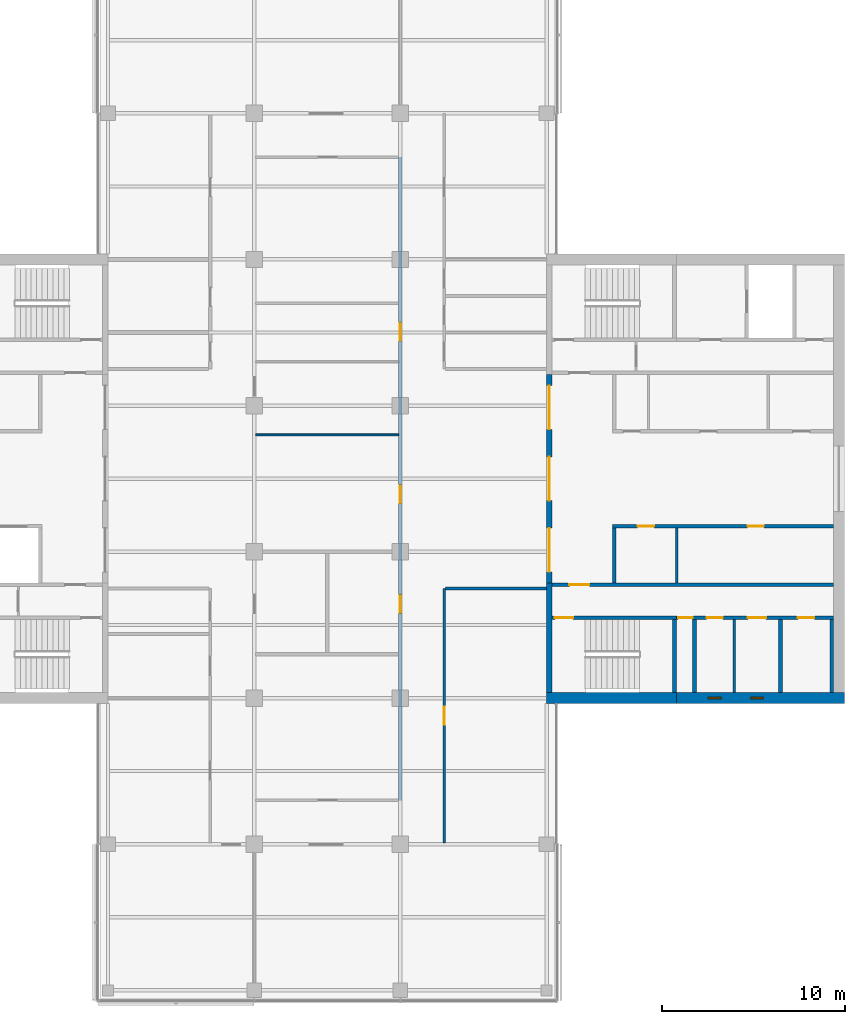
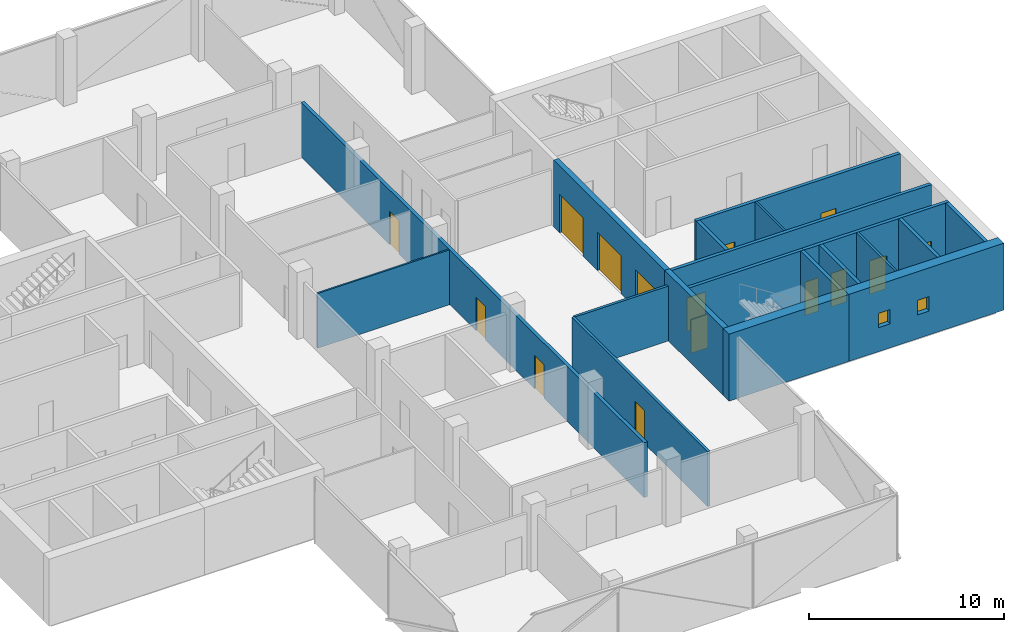
# One storey, part 10 of 15: 19 walls, 15 doors, 2 windows, 17 openings.
"""IFC4 building model written with IfcOpenShell, lengths in metres."""

import ifcopenshell
import ifcopenshell.guid

model = None  # the IFC model being written
_history = None  # IfcOwnerHistory: only IFC2X3 demands one
_inside = {}  # id of a spatial element -> (the spatial element, [elements in it])
_under = {}  # id of a project, library or spatial element -> (it, [spatial elements below it])
_declared = {}  # id of a project -> (the project, [libraries it declares])
_typed = {}  # id of a type object -> (the type object, [elements of that type])
_made_of = {}  # id of a material, layer set ... -> (it, [elements and type objects made of it])


def new_model(schema):
    """Start an empty IFC model of exactly this schema.

    Asked for "IFC4X3", IfcOpenShell would pick the latest addendum, in which some entities
    have other attributes; the version numbers below select the first issue.
    IFC2X3 requires an IfcOwnerHistory on every rooted entity: one is made here for all.
    """
    global model, _history
    if schema == "IFC4X3":
        model = ifcopenshell.file(schema_version=(4, 3, 0, 0))
    else:
        model = ifcopenshell.file(schema=schema)
    _inside.clear()
    _under.clear()
    _declared.clear()
    _typed.clear()
    _made_of.clear()
    _history = None
    if model.schema == "IFC2X3":
        org = make("IfcOrganization", Name="unknown")
        user = make(
            "IfcPersonAndOrganization",
            ThePerson=make("IfcPerson", FamilyName="unknown"),
            TheOrganization=org,
        )
        app = make(
            "IfcApplication",
            ApplicationDeveloper=org,
            Version="unknown",
            ApplicationFullName="unknown",
            ApplicationIdentifier="unknown",
        )
        _history = make(
            "IfcOwnerHistory",
            OwningUser=user,
            OwningApplication=app,
            ChangeAction="ADDED",
            CreationDate=0,
        )
    return model


def make(cls, **values):
    """One entity of the class cls with the attributes given. An attribute that is None is left unset."""
    return model.create_entity(
        cls, **{name: value for name, value in values.items() if value is not None}
    )


def rooted(cls, **values):
    """An entity with a GlobalId (a new one), such as an element, a storey or a relation."""
    return make(cls, GlobalId=ifcopenshell.guid.new(), OwnerHistory=_history, **values)


def si_unit(unit_type, name, prefix=None):
    """IfcSIUnit, for example si_unit("LENGTHUNIT", "METRE", prefix="MILLI")."""
    return make("IfcSIUnit", UnitType=unit_type, Prefix=prefix, Name=name)


def assignment(units):
    """IfcUnitAssignment: the units of a project."""
    return None if units is None else make("IfcUnitAssignment", Units=units)


def point(xyz):
    """IfcCartesianPoint."""
    return None if xyz is None else make("IfcCartesianPoint", Coordinates=xyz)


def direction(xyz):
    """IfcDirection."""
    return None if xyz is None else make("IfcDirection", DirectionRatios=xyz)


def frame(location, z_axis=None, x_axis=None):
    """IfcAxis2Placement3D, a coordinate frame: its origin and axes. An axis left out is left unset."""
    return make(
        "IfcAxis2Placement3D",
        Location=point(location),
        Axis=direction(z_axis),
        RefDirection=direction(x_axis),
    )


def frame_2d(location, x_axis=None):
    """IfcAxis2Placement2D, a coordinate frame in the plane: its origin and x axis."""
    return make(
        "IfcAxis2Placement2D", Location=point(location), RefDirection=direction(x_axis)
    )


def origin():
    """The frame at (0, 0, 0) with its axes left unset."""
    return frame((0.0, 0.0, 0.0))


def place(relative_to, where):
    """IfcLocalPlacement: puts the frame where relative to a parent placement (None: the world)."""
    return make(
        "IfcLocalPlacement", PlacementRelTo=relative_to, RelativePlacement=where
    )


def context(
    kind, dimensions, precision=None, world=None, true_north=None, identifier=None
):
    """IfcGeometricRepresentationContext, for example the 3D "Model" context."""
    return make(
        "IfcGeometricRepresentationContext",
        ContextIdentifier=identifier,
        ContextType=kind,
        CoordinateSpaceDimension=dimensions,
        Precision=precision,
        WorldCoordinateSystem=world,
        TrueNorth=true_north,
    )


def subcontext(parent, identifier, kind, view, scale=None):
    """IfcGeometricRepresentationSubContext, for example "Body" below "Model"."""
    return make(
        "IfcGeometricRepresentationSubContext",
        ContextIdentifier=identifier,
        ContextType=kind,
        ParentContext=parent,
        TargetScale=scale,
        TargetView=view,
    )


def project(units=None, contexts=None):
    """IfcProject with its units and contexts."""
    return rooted(
        "IfcProject",
        Name="project",
        RepresentationContexts=contexts,
        UnitsInContext=assignment(units),
    )


def spatial(cls, under=None, at=None, **own):
    """A site, building, storey or space (cls), placed at a placement, below another one or the project."""
    s = rooted(cls, ObjectPlacement=at, **own)
    if under is not None:
        _under.setdefault(under.id(), (under, []))[1].append(s)
    return s


def profile(cls, at=None, kind="AREA", **sizes):
    """A parametric profile (cls). Its sizes go by their IFC names, for example OverallWidth=200.0."""
    return make(cls, ProfileType=kind, Position=at, **sizes)


def rectangle(**sizes):
    """IfcRectangleProfileDef."""
    return profile("IfcRectangleProfileDef", **sizes)


def extrude(swept, where, along, depth):
    """IfcExtrudedAreaSolid: the profile swept, set in the frame where, extruded along a direction by depth."""
    return make(
        "IfcExtrudedAreaSolid",
        SweptArea=swept,
        Position=where,
        ExtrudedDirection=direction(along),
        Depth=depth,
    )


def shape(context_of_items, identifier, shape_type, items):
    """IfcShapeRepresentation: the items that make up one representation, for example the "Body"."""
    return make(
        "IfcShapeRepresentation",
        ContextOfItems=context_of_items,
        RepresentationIdentifier=identifier,
        RepresentationType=shape_type,
        Items=items,
    )


def material(Name=None, Category=None):
    """IfcMaterial."""
    return make("IfcMaterial", Name=Name, Category=Category)


def layer(
    of_material, thickness, ventilated=None, Name=None, Category=None, Priority=None
):
    """IfcMaterialLayer: one layer of a wall or slab, of a material (None: an air gap)."""
    return make(
        "IfcMaterialLayer",
        Material=of_material,
        LayerThickness=thickness,
        IsVentilated=ventilated,
        Name=Name,
        Category=Category,
        Priority=Priority,
    )


def layer_set(layers, Name=None):
    """IfcMaterialLayerSet."""
    return make("IfcMaterialLayerSet", MaterialLayers=layers, LayerSetName=Name)


def constituent(of_material, Name=None, Category=None, fraction=None):
    """IfcMaterialConstituent: one of the materials an element consists of."""
    return make(
        "IfcMaterialConstituent",
        Name=Name,
        Material=of_material,
        Fraction=fraction,
        Category=Category,
    )


def constituent_set(constituents=None, Name=None):
    """IfcMaterialConstituentSet."""
    return make(
        "IfcMaterialConstituentSet", Name=Name, MaterialConstituents=constituents
    )


def made_of(thing, what):
    """Note that an element or type object is made of a material, layer set ...; save() writes the relation."""
    if what is not None:
        _made_of.setdefault(what.id(), (what, []))[1].append(thing)
    return thing


def type_object(cls, material=None, **own):
    """A type object (cls), such as IfcWallType, which elements share."""
    return made_of(rooted(cls, **own), material)


def element(
    cls,
    number,
    at=None,
    inside=None,
    cuts=None,
    type_object=None,
    material=None,
    context=None,
    identifier="Body",
    shape_type=None,
    held_by="IfcProductDefinitionShape",
    body=None,
    shapes=None,
    **own,
):
    """One element of the class cls, such as IfcWall. Its Tag is "e" and its number.

    at: its placement. inside: the storey or other place that contains it. cuts: it is an
    opening in that element (IfcRelVoidsElement). A single representation is given by context,
    identifier, shape_type and body (its items); several are given by shapes. held_by: the class
    of the entity that holds the representations. save() writes the other relations.
    """
    e = rooted(cls, Tag="e%d" % number, ObjectPlacement=at, **own)
    if body is not None:
        shapes = [shape(context, identifier, shape_type, body)]
    if shapes is not None:
        e.Representation = make(held_by, Representations=shapes)
    if inside is not None:
        _inside.setdefault(inside.id(), (inside, []))[1].append(e)
    if cuts is not None:
        rooted(
            "IfcRelVoidsElement", RelatingBuildingElement=cuts, RelatedOpeningElement=e
        )
    if type_object is not None:
        _typed.setdefault(type_object.id(), (type_object, []))[1].append(e)
    return made_of(e, material)


def fill(opening, filler):
    """IfcRelFillsElement: the door or window that sits in an opening."""
    return rooted(
        "IfcRelFillsElement",
        RelatingOpeningElement=opening,
        RelatedBuildingElement=filler,
    )


def aggregate(whole, parts):
    """IfcRelAggregates: a whole, such as a stair, and the parts it consists of."""
    return rooted("IfcRelAggregates", RelatingObject=whole, RelatedObjects=parts)


def save(model, path):
    """Write the relations noted so far, then the file.

    IfcRelAggregates (storeys below a building ...), IfcRelContainedInSpatialStructure (elements
    in a storey), IfcRelDefinesByType, IfcRelAssociatesMaterial and IfcRelDeclares: one each for
    every whole, place, type object, material and project.
    """
    for whole, parts in _under.values():
        aggregate(whole, parts)
    for where, things in _inside.values():
        rooted(
            "IfcRelContainedInSpatialStructure",
            RelatedElements=things,
            RelatingStructure=where,
        )
    for kind, things in _typed.values():
        rooted("IfcRelDefinesByType", RelatedObjects=things, RelatingType=kind)
    for what, things in _made_of.values():
        rooted("IfcRelAssociatesMaterial", RelatedObjects=things, RelatingMaterial=what)
    for by, libraries in _declared.values():
        rooted("IfcRelDeclares", RelatingContext=by, RelatedDefinitions=libraries)
    model.write(path)


model = new_model("IFC4")

# Units and contexts
model_context = context("Model", 3, precision=1e-05, world=origin(), true_north=direction((0.0, 1.0)))
body_context = subcontext(model_context, "Body", "Model", "MODEL_VIEW")
ifc_project = project(units=[si_unit("LENGTHUNIT", "METRE"), si_unit("AREAUNIT", "SQUARE_METRE"), si_unit("VOLUMEUNIT", "CUBIC_METRE"), si_unit("PLANEANGLEUNIT", "RADIAN"), si_unit("MASSUNIT", "GRAM", prefix="KILO")], contexts=[model_context])

# Site, building, storey
site_placement = place(None, origin())
site = spatial("IfcSite", under=ifc_project, at=site_placement, CompositionType="ELEMENT")
building_placement = place(site_placement, origin())
building = spatial("IfcBuilding", under=site, at=building_placement, Name="Crosswind Convention Tower", CompositionType="ELEMENT")
storey_placement = place(building_placement, frame((0.0, 0.0, 229.300048828125)))
storey = spatial("IfcBuildingStorey", under=building, at=storey_placement, Name="L49", CompositionType="ELEMENT", Elevation=229.300048828125)

# Wall
ifc_material_1 = material(Name="Concrete blockwork", Category="masonry")
ifc_layer_1 = layer(ifc_material_1, 0.199951171875)
ifc_layer_set_1 = layer_set([ifc_layer_1], Name="Blockwork partition wall 200")
wall_type_1 = type_object("IfcWallType", Name="Blockwork partition wall 200", PredefinedType="PARTITIONING", material=ifc_layer_set_1)
wall_1_placement = place(storey_placement, frame((145.10009765625, 88.300048828125, 0.0), z_axis=(0.0, 0.0, 1.0), x_axis=(0.0, 1.0, 0.0)))
element("IfcWall", 1, at=wall_1_placement, inside=storey, type_object=wall_type_1, Name="Wall MRSE E L49", PredefinedType="PARTITIONING", context=body_context, shape_type="SweptSolid", body=[
    extrude(rectangle(XDim=4.0, YDim=0.199951171875, at=frame_2d((2.0, 0.0))), origin(), (0.0, 0.0, 1.0), 4.199951171875),
])

# Wall, openings, doors
ifc_layer_2 = layer(ifc_material_1, 0.199951171875)
ifc_layer_set_2 = layer_set([ifc_layer_2], Name="COMPARTMENT WALL 200 BLOCKWORK")
wall_type_2 = type_object("IfcWallType", Name="COMPARTMENT WALL 200 BLOCKWORK", PredefinedType="SOLIDWALL", material=ifc_layer_set_2)
wall_2_placement = place(storey_placement, frame((129.0, 82.39990234375, 0.0), z_axis=(0.0, 0.0, 1.0), x_axis=(0.0, 1.0, 0.0)))
wall_2 = element("IfcWall", 2, at=wall_2_placement, inside=storey, type_object=wall_type_2, Name="Compartment wall WT42", PredefinedType="SOLIDWALL", context=body_context, shape_type="SweptSolid", body=[
    extrude(rectangle(XDim=35.2001953125, YDim=0.199951171875, at=frame_2d((17.60009765625, 0.0))), origin(), (0.0, 0.0, 1.0), 3.439697265625),
])
opening_1_placement = place(wall_2_placement, frame((10.25, 0.0, 0.0)))
opening_1 = element("IfcOpeningElement", 3, at=opening_1_placement, cuts=wall_2, Name="Opening L49-66", PredefinedType="OPENING", context=body_context, shape_type="SweptSolid", body=[
    extrude(rectangle(XDim=1.0, YDim=2.10009765625, at=frame_2d((0.5, 1.050048828125))), frame((0.0, 0.10986328125, 0.0), z_axis=(0.0, -1.0, 0.0), x_axis=(1.0, 0.0, 0.0)), (0.0, 0.0, 1.0), 0.219970703125),
])
opening_2_placement = place(wall_2_placement, frame((16.25, 0.0, 0.0)))
opening_2 = element("IfcOpeningElement", 4, at=opening_2_placement, cuts=wall_2, Name="Opening L49-67", PredefinedType="OPENING", context=body_context, shape_type="SweptSolid", body=[
    extrude(rectangle(XDim=1.0, YDim=2.10009765625, at=frame_2d((0.5, 1.050048828125))), frame((0.0, 0.10986328125, 0.0), z_axis=(0.0, -1.0, 0.0), x_axis=(1.0, 0.0, 0.0)), (0.0, 0.0, 1.0), 0.219970703125),
])
opening_3_placement = place(wall_2_placement, frame((25.14990234375, 0.0, 0.0)))
opening_3 = element("IfcOpeningElement", 5, at=opening_3_placement, cuts=wall_2, Name="Opening L49-69", PredefinedType="OPENING", context=body_context, shape_type="SweptSolid", body=[
    extrude(rectangle(XDim=1.0, YDim=2.10009765625, at=frame_2d((0.5, 1.050048828125))), frame((0.0, 0.10986328125, 0.0), z_axis=(0.0, -1.0, 0.0), x_axis=(1.0, 0.0, 0.0)), (0.0, 0.0, 1.0), 0.219970703125),
])
ifc_material_2 = material(Name="Steel fire door", Category="steel")
door_type_1 = type_object("IfcDoorType", Name="PLANT ROOM DOOR 1000X2100 FD60", OperationType="NOTDEFINED", PredefinedType="DOOR", material=ifc_material_2)
door_1_placement = place(opening_1_placement, origin())
door_1 = element("IfcDoor", 6, at=door_1_placement, inside=storey, type_object=door_type_1, Name="Door L49-66", ObjectType="D43", OperationType="SINGLE_SWING_RIGHT", OverallHeight=2.10009765625, OverallWidth=1.0, PredefinedType="DOOR", context=body_context, shape_type="SweptSolid", body=[
    extrude(rectangle(XDim=1.0, YDim=2.10009765625, at=frame_2d((0.5, 1.050048828125))), frame((0.0, 0.02490234375, 0.0), z_axis=(0.0, -1.0, 0.0), x_axis=(1.0, 0.0, 0.0)), (0.0, 0.0, 1.0), 0.050048828125),
])
fill(opening_1, door_1)
ifc_material_3 = material(Name="Timber fire door", Category="wood")
door_type_2 = type_object("IfcDoorType", Name="TENANCY ENTRANCE DOOR 1000X2100 FD30S", OperationType="NOTDEFINED", PredefinedType="DOOR", material=ifc_material_3)
door_2_placement = place(opening_2_placement, origin())
door_2 = element("IfcDoor", 7, at=door_2_placement, inside=storey, type_object=door_type_2, Name="Door L49-67", ObjectType="D41", OperationType="SINGLE_SWING_LEFT", OverallHeight=2.10009765625, OverallWidth=1.0, PredefinedType="DOOR", context=body_context, shape_type="SweptSolid", body=[
    extrude(rectangle(XDim=1.0, YDim=2.10009765625, at=frame_2d((0.5, 1.050048828125))), frame((0.0, 0.02490234375, 0.0), z_axis=(0.0, -1.0, 0.0), x_axis=(1.0, 0.0, 0.0)), (0.0, 0.0, 1.0), 0.050048828125),
])
fill(opening_2, door_2)
door_3_placement = place(opening_3_placement, origin())
door_3 = element("IfcDoor", 8, at=door_3_placement, inside=storey, type_object=door_type_2, Name="Door L49-69", ObjectType="D41", OperationType="SINGLE_SWING_RIGHT", OverallHeight=2.10009765625, OverallWidth=1.0, PredefinedType="DOOR", context=body_context, shape_type="SweptSolid", body=[
    extrude(rectangle(XDim=1.0, YDim=2.10009765625, at=frame_2d((0.5, 1.050048828125))), frame((0.0, 0.02490234375, 0.0), z_axis=(0.0, -1.0, 0.0), x_axis=(1.0, 0.0, 0.0)), (0.0, 0.0, 1.0), 0.050048828125),
])
fill(opening_3, door_3)

ifc_material_4 = material(Name="Concrete C50/60", Category="concrete")
ifc_layer_3 = layer(ifc_material_4, 0.300048828125)
ifc_layer_set_3 = layer_set([ifc_layer_3], Name="Concrete C50/60")
wall_type_3 = type_object("IfcWallType", Name="Concrete inner core wall 300", PredefinedType="SHEAR", material=ifc_layer_set_3)
wall_3_placement = place(storey_placement, frame((137.14990234375, 94.300048828125, 0.0), z_axis=(0.0, 0.0, 1.0), x_axis=(0.0, 1.0, 0.0)))
wall_3 = element("IfcWall", 9, at=wall_3_placement, inside=storey, type_object=wall_type_3, Name="Wall SCR E L49", PredefinedType="SHEAR", context=body_context, shape_type="SweptSolid", body=[
    extrude(rectangle(XDim=11.39990234375, YDim=0.300048828125, at=frame_2d((5.699951171875, 0.0))), origin(), (0.0, 0.0, 1.0), 4.199951171875),
])
opening_4_placement = place(wall_3_placement, frame((0.60009765625, 0.0, 0.0)))
opening_4 = element("IfcOpeningElement", 10, at=opening_4_placement, cuts=wall_3, Name="Opening D100", PredefinedType="OPENING", context=body_context, shape_type="SweptSolid", body=[
    extrude(rectangle(XDim=2.39990234375, YDim=2.39990234375, at=frame_2d((1.199951171875, 1.199951171875))), frame((0.0, 0.159912109375, 0.0), z_axis=(0.0, -1.0, 0.0), x_axis=(1.0, 0.0, 0.0)), (0.0, 0.0, 1.0), 0.320068359375),
])
opening_5_placement = place(wall_3_placement, frame((4.5, 0.0, 0.0)))
opening_5 = element("IfcOpeningElement", 11, at=opening_5_placement, cuts=wall_3, Name="Opening D100", PredefinedType="OPENING", context=body_context, shape_type="SweptSolid", body=[
    extrude(rectangle(XDim=2.39990234375, YDim=2.39990234375, at=frame_2d((1.199951171875, 1.199951171875))), frame((0.0, 0.159912109375, 0.0), z_axis=(0.0, -1.0, 0.0), x_axis=(1.0, 0.0, 0.0)), (0.0, 0.0, 1.0), 0.320068359375),
])
opening_6_placement = place(wall_3_placement, frame((8.39990234375, 0.0, 0.0)))
opening_6 = element("IfcOpeningElement", 12, at=opening_6_placement, cuts=wall_3, Name="Opening D100", PredefinedType="OPENING", context=body_context, shape_type="SweptSolid", body=[
    extrude(rectangle(XDim=2.39990234375, YDim=2.39990234375, at=frame_2d((1.199951171875, 1.199951171875))), frame((0.0, 0.159912109375, 0.0), z_axis=(0.0, -1.0, 0.0), x_axis=(1.0, 0.0, 0.0)), (0.0, 0.0, 1.0), 0.320068359375),
])
ifc_material_5 = material(Name="Steel fire door with glazed vision panels", Category="steel")
door_type_3 = type_object("IfcDoorType", Name="Fire-rated double door 2400x2400", OperationType="DOUBLE_DOOR_SINGLE_SWING", PredefinedType="DOOR", material=ifc_material_5)
door_4_placement = place(opening_4_placement, origin())
door_4 = element("IfcDoor", 13, at=door_4_placement, inside=storey, type_object=door_type_3, Name="Lobby door 1 L49", ObjectType="D100", OperationType="DOUBLE_DOOR_SINGLE_SWING", OverallHeight=2.39990234375, OverallWidth=2.39990234375, PredefinedType="DOOR", context=body_context, shape_type="SweptSolid", body=[
    extrude(rectangle(XDim=2.39990234375, YDim=2.39990234375, at=frame_2d((1.199951171875, 1.199951171875))), frame((0.0, 0.02490234375, 0.0), z_axis=(0.0, -1.0, 0.0), x_axis=(1.0, 0.0, 0.0)), (0.0, 0.0, 1.0), 0.050048828125),
])
fill(opening_4, door_4)
door_5_placement = place(opening_5_placement, origin())
door_5 = element("IfcDoor", 14, at=door_5_placement, inside=storey, type_object=door_type_3, Name="Lobby door 2 L49", ObjectType="D100", OperationType="DOUBLE_DOOR_SINGLE_SWING", OverallHeight=2.39990234375, OverallWidth=2.39990234375, PredefinedType="DOOR", context=body_context, shape_type="SweptSolid", body=[
    extrude(rectangle(XDim=2.39990234375, YDim=2.39990234375, at=frame_2d((1.199951171875, 1.199951171875))), frame((0.0, 0.02490234375, 0.0), z_axis=(0.0, -1.0, 0.0), x_axis=(1.0, 0.0, 0.0)), (0.0, 0.0, 1.0), 0.050048828125),
])
fill(opening_5, door_5)
door_6_placement = place(opening_6_placement, origin())
door_6 = element("IfcDoor", 15, at=door_6_placement, inside=storey, type_object=door_type_3, Name="Lobby door 3 L49", ObjectType="D100", OperationType="DOUBLE_DOOR_SINGLE_SWING", OverallHeight=2.39990234375, OverallWidth=2.39990234375, PredefinedType="DOOR", context=body_context, shape_type="SweptSolid", body=[
    extrude(rectangle(XDim=2.39990234375, YDim=2.39990234375, at=frame_2d((1.199951171875, 1.199951171875))), frame((0.0, 0.02490234375, 0.0), z_axis=(0.0, -1.0, 0.0), x_axis=(1.0, 0.0, 0.0)), (0.0, 0.0, 1.0), 0.050048828125),
])
fill(opening_6, door_6)

# Walls
wall_4_placement = place(storey_placement, frame((137.14990234375, 88.300048828125, 0.0), z_axis=(0.0, 0.0, 1.0), x_axis=(0.0, 1.0, 0.0)))
element("IfcWall", 16, at=wall_4_placement, inside=storey, type_object=wall_type_3, Name="Wall EM E L49", PredefinedType="SHEAR", context=body_context, shape_type="SweptSolid", body=[
    extrude(rectangle(XDim=6.0, YDim=0.300048828125, at=frame_2d((3.0, 0.0))), origin(), (0.0, 0.0, 1.0), 4.199951171875),
])
ifc_layer_4 = layer(ifc_material_4, 0.199951171875)
ifc_layer_set_4 = layer_set([ifc_layer_4], Name="Concrete C50/60")
wall_type_4 = type_object("IfcWallType", Name="Concrete shaft and stair wall 200", PredefinedType="SHEAR", material=ifc_layer_set_4)
wall_5_placement = place(storey_placement, frame((140.699951171875, 94.300048828125, 0.0), z_axis=(0.0, 0.0, 1.0), x_axis=(0.0, 1.0, 0.0)))
element("IfcWall", 17, at=wall_5_placement, inside=storey, type_object=wall_type_4, Name="Wall RMEND E L49", PredefinedType="SHEAR", context=body_context, shape_type="SweptSolid", body=[
    extrude(rectangle(XDim=3.0, YDim=0.199951171875, at=frame_2d((1.5, 0.0))), origin(), (0.0, 0.0, 1.0), 4.199951171875),
])

# Wall, openings, doors
wall_6_placement = place(storey_placement, frame((140.60009765625, 97.39990234375, 0.0), z_axis=(0.0, 0.0, 1.0), x_axis=(1.0, 0.0, 0.0)))
wall_6 = element("IfcWall", 18, at=wall_6_placement, inside=storey, type_object=wall_type_4, Name="Wall RMFRONT E L49", PredefinedType="SHEAR", context=body_context, shape_type="SweptSolid", body=[
    extrude(rectangle(XDim=12.099853515625, YDim=0.199951171875, at=frame_2d((6.0498046875, 0.0))), origin(), (0.0, 0.0, 1.0), 4.199951171875),
])
opening_7_placement = place(wall_6_placement, frame((1.384765625, 0.0, 0.0)))
opening_7 = element("IfcOpeningElement", 19, at=opening_7_placement, cuts=wall_6, Name="Opening D106", PredefinedType="OPENING", context=body_context, shape_type="SweptSolid", body=[
    extrude(rectangle(XDim=0.89990234375, YDim=2.10009765625, at=frame_2d((0.449951171875, 1.050048828125))), frame((0.0, 0.10986328125, 0.0), z_axis=(0.0, -1.0, 0.0), x_axis=(1.0, 0.0, 0.0)), (0.0, 0.0, 1.0), 0.219970703125),
])
opening_8_placement = place(wall_6_placement, frame((7.397216796875, 0.0, 0.0)))
opening_8 = element("IfcOpeningElement", 20, at=opening_8_placement, cuts=wall_6, Name="Opening D106", PredefinedType="OPENING", context=body_context, shape_type="SweptSolid", body=[
    extrude(rectangle(XDim=0.89990234375, YDim=2.10009765625, at=frame_2d((0.449951171875, 1.050048828125))), frame((0.0, 0.10986328125, 0.0), z_axis=(0.0, -1.0, 0.0), x_axis=(1.0, 0.0, 0.0)), (0.0, 0.0, 1.0), 0.219970703125),
])
ifc_material_6 = material(Name="Timber door", Category="wood")
door_type_4 = type_object("IfcDoorType", Name="Single leaf door 900x2100", OperationType="NOTDEFINED", PredefinedType="DOOR", material=ifc_material_6)
door_7_placement = place(opening_7_placement, frame((0.89990234375, 0.0, 0.0), z_axis=(0.0, 0.0, 1.0), x_axis=(-1.0, 0.0, 0.0)))
door_7 = element("IfcDoor", 21, at=door_7_placement, inside=storey, type_object=door_type_4, Name="Door to copy and print room L49", ObjectType="D106", OperationType="SINGLE_SWING_LEFT", OverallHeight=2.10009765625, OverallWidth=0.89990234375, PredefinedType="DOOR", context=body_context, shape_type="SweptSolid", body=[
    extrude(rectangle(XDim=0.89990234375, YDim=2.10009765625, at=frame_2d((0.449951171875, 1.050048828125))), frame((0.0, 0.02490234375, 0.0), z_axis=(0.0, -1.0, 0.0), x_axis=(1.0, 0.0, 0.0)), (0.0, 0.0, 1.0), 0.050048828125),
])
fill(opening_7, door_7)
door_8_placement = place(opening_8_placement, frame((0.89990234375, 0.0, 0.0), z_axis=(0.0, 0.0, 1.0), x_axis=(-1.0, 0.0, 0.0)))
door_8 = element("IfcDoor", 22, at=door_8_placement, inside=storey, type_object=door_type_4, Name="Door to meeting room L49", ObjectType="D106", OperationType="SINGLE_SWING_LEFT", OverallHeight=2.10009765625, OverallWidth=0.89990234375, PredefinedType="DOOR", context=body_context, shape_type="SweptSolid", body=[
    extrude(rectangle(XDim=0.89990234375, YDim=2.10009765625, at=frame_2d((0.449951171875, 1.050048828125))), frame((0.0, 0.02490234375, 0.0), z_axis=(0.0, -1.0, 0.0), x_axis=(1.0, 0.0, 0.0)), (0.0, 0.0, 1.0), 0.050048828125),
])
fill(opening_8, door_8)

# Wall, opening, door
wall_7_placement = place(storey_placement, frame((137.300048828125, 94.199951171875, 0.0), z_axis=(0.0, 0.0, 1.0), x_axis=(1.0, 0.0, 0.0)))
wall_7 = element("IfcWall", 23, at=wall_7_placement, inside=storey, type_object=wall_type_4, Name="Wall HM E L49", PredefinedType="SHEAR", context=body_context, shape_type="SweptSolid", body=[
    extrude(rectangle(XDim=15.39990234375, YDim=0.199951171875, at=frame_2d((7.699951171875, 0.0))), origin(), (0.0, 0.0, 1.0), 4.199951171875),
])
opening_9_placement = place(wall_7_placement, frame((0.949951171875, 0.0, 0.0)))
opening_9 = element("IfcOpeningElement", 24, at=opening_9_placement, cuts=wall_7, Name="Opening D104", PredefinedType="OPENING", context=body_context, shape_type="SweptSolid", body=[
    extrude(rectangle(XDim=1.10009765625, YDim=2.10009765625, at=frame_2d((0.550048828125, 1.050048828125))), frame((0.0, 0.10986328125, 0.0), z_axis=(0.0, -1.0, 0.0), x_axis=(1.0, 0.0, 0.0)), (0.0, 0.0, 1.0), 0.219970703125),
])
door_type_5 = type_object("IfcDoorType", Name="Fire-rated single door 1100x2100", OperationType="NOTDEFINED", PredefinedType="DOOR", material=ifc_material_2)
door_9_placement = place(opening_9_placement, origin())
door_9 = element("IfcDoor", 25, at=door_9_placement, inside=storey, type_object=door_type_5, Name="Corridor door L49", ObjectType="D104", OperationType="SINGLE_SWING_LEFT", OverallHeight=2.10009765625, OverallWidth=1.10009765625, PredefinedType="DOOR", context=body_context, shape_type="SweptSolid", body=[
    extrude(rectangle(XDim=1.10009765625, YDim=2.10009765625, at=frame_2d((0.550048828125, 1.050048828125))), frame((0.0, 0.02490234375, 0.0), z_axis=(0.0, -1.0, 0.0), x_axis=(1.0, 0.0, 0.0)), (0.0, 0.0, 1.0), 0.050048828125),
])
fill(opening_9, door_9)

# Walls
for number, where, z_axis, x_axis, name in (
    (26, (144.0, 88.300048828125, 0.0), (0.0, 0.0, 1.0), (0.0, 1.0, 0.0), "Wall MSE E L49"),
    (27, (149.800048828125, 88.300048828125, 0.0), (0.0, 0.0, 1.0), (0.0, 1.0, 0.0), "Wall MFSW E L49"),
    (28, (152.60009765625, 88.300048828125, 0.0), (0.0, 0.0, 1.0), (0.0, 1.0, 0.0), "Wall MFSE E L49"),
):
    element("IfcWall", number, at=place(storey_placement, frame(where, z_axis=z_axis, x_axis=x_axis)), inside=storey, type_object=wall_type_4, Name=name, PredefinedType="SHEAR", context=body_context, shape_type="SweptSolid", body=[
        extrude(rectangle(XDim=4.0, YDim=0.199951171875, at=frame_2d((2.0, 0.0))), origin(), (0.0, 0.0, 1.0), 4.199951171875),
    ])

# Wall, opening, door
wall_8_placement = place(storey_placement, frame((137.300048828125, 92.39990234375, 0.0), z_axis=(0.0, 0.0, 1.0), x_axis=(1.0, 0.0, 0.0)))
wall_8 = element("IfcWall", 29, at=wall_8_placement, inside=storey, type_object=wall_type_4, Name="Wall MCW E L49", PredefinedType="SHEAR", context=body_context, shape_type="SweptSolid", body=[
    extrude(rectangle(XDim=6.800048828125, YDim=0.199951171875, at=frame_2d((3.39990234375, 0.0))), origin(), (0.0, 0.0, 1.0), 4.199951171875),
])
opening_10_placement = place(wall_8_placement, frame((0.14990234375, 0.0, 0.0)))
opening_10 = element("IfcOpeningElement", 30, at=opening_10_placement, cuts=wall_8, Name="Opening D103", PredefinedType="OPENING", context=body_context, shape_type="SweptSolid", body=[
    extrude(rectangle(XDim=1.0, YDim=2.10009765625, at=frame_2d((0.5, 1.050048828125))), frame((0.0, 0.10986328125, 0.0), z_axis=(0.0, -1.0, 0.0), x_axis=(1.0, 0.0, 0.0)), (0.0, 0.0, 1.0), 0.219970703125),
])
door_type_6 = type_object("IfcDoorType", Name="Fire-rated single door 1000x2100", OperationType="NOTDEFINED", PredefinedType="DOOR", material=ifc_material_2)
door_10_placement = place(opening_10_placement, frame((1.0, 0.0, 0.0), z_axis=(0.0, 0.0, 1.0), x_axis=(-1.0, 0.0, 0.0)))
door_10 = element("IfcDoor", 31, at=door_10_placement, inside=storey, type_object=door_type_6, Name="Stair ST2 door L49", ObjectType="D103", OperationType="SINGLE_SWING_RIGHT", OverallHeight=2.10009765625, OverallWidth=1.0, PredefinedType="DOOR", context=body_context, shape_type="SweptSolid", body=[
    extrude(rectangle(XDim=1.0, YDim=2.10009765625, at=frame_2d((0.5, 1.050048828125))), frame((0.0, 0.02490234375, 0.0), z_axis=(0.0, -1.0, 0.0), x_axis=(1.0, 0.0, 0.0)), (0.0, 0.0, 1.0), 0.050048828125),
])
fill(opening_10, door_10)

# Wall, openings, doors
wall_9_placement = place(storey_placement, frame((144.10009765625, 92.39990234375, 0.0), z_axis=(0.0, 0.0, 1.0), x_axis=(1.0, 0.0, 0.0)))
wall_9 = element("IfcWall", 32, at=wall_9_placement, inside=storey, type_object=wall_type_4, Name="Wall MCX E L49", PredefinedType="SHEAR", context=body_context, shape_type="SweptSolid", body=[
    extrude(rectangle(XDim=8.599853515625, YDim=0.199951171875, at=frame_2d((4.2998046875, 0.0))), origin(), (0.0, 0.0, 1.0), 4.199951171875),
])
opening_11_placement = place(wall_9_placement, frame((0.10009765625, 0.0, 0.0)))
opening_11 = element("IfcOpeningElement", 33, at=opening_11_placement, cuts=wall_9, Name="Opening D105", PredefinedType="OPENING", context=body_context, shape_type="SweptSolid", body=[
    extrude(rectangle(XDim=0.800048828125, YDim=2.10009765625, at=frame_2d((0.39990234375, 1.050048828125))), frame((0.0, 0.10986328125, 0.0), z_axis=(0.0, -1.0, 0.0), x_axis=(1.0, 0.0, 0.0)), (0.0, 0.0, 1.0), 0.219970703125),
])
opening_12_placement = place(wall_9_placement, frame((1.65380859375, 0.0, 0.0)))
opening_12 = element("IfcOpeningElement", 34, at=opening_12_placement, cuts=wall_9, Name="Opening D106", PredefinedType="OPENING", context=body_context, shape_type="SweptSolid", body=[
    extrude(rectangle(XDim=0.89990234375, YDim=2.10009765625, at=frame_2d((0.449951171875, 1.050048828125))), frame((0.0, 0.10986328125, 0.0), z_axis=(0.0, -1.0, 0.0), x_axis=(1.0, 0.0, 0.0)), (0.0, 0.0, 1.0), 0.219970703125),
])
opening_13_placement = place(wall_9_placement, frame((3.916259765625, 0.0, 0.0)))
opening_13 = element("IfcOpeningElement", 35, at=opening_13_placement, cuts=wall_9, Name="Opening D103", PredefinedType="OPENING", context=body_context, shape_type="SweptSolid", body=[
    extrude(rectangle(XDim=1.0, YDim=2.10009765625, at=frame_2d((0.5, 1.050048828125))), frame((0.0, 0.10986328125, 0.0), z_axis=(0.0, -1.0, 0.0), x_axis=(1.0, 0.0, 0.0)), (0.0, 0.0, 1.0), 0.219970703125),
])
opening_14_placement = place(wall_9_placement, frame((6.64990234375, 0.0, 0.0)))
opening_14 = element("IfcOpeningElement", 36, at=opening_14_placement, cuts=wall_9, Name="Opening D106", PredefinedType="OPENING", context=body_context, shape_type="SweptSolid", body=[
    extrude(rectangle(XDim=0.89990234375, YDim=2.10009765625, at=frame_2d((0.449951171875, 1.050048828125))), frame((0.0, 0.10986328125, 0.0), z_axis=(0.0, -1.0, 0.0), x_axis=(1.0, 0.0, 0.0)), (0.0, 0.0, 1.0), 0.219970703125),
])
door_11_placement = place(opening_13_placement, frame((1.0, 0.0, 0.0), z_axis=(0.0, 0.0, 1.0), x_axis=(-1.0, 0.0, 0.0)))
door_11 = element("IfcDoor", 37, at=door_11_placement, inside=storey, type_object=door_type_6, Name="Door to accessible wc L49", ObjectType="D103", OperationType="SINGLE_SWING_LEFT", OverallHeight=2.10009765625, OverallWidth=1.0, PredefinedType="DOOR", context=body_context, shape_type="SweptSolid", body=[
    extrude(rectangle(XDim=1.0, YDim=2.10009765625, at=frame_2d((0.5, 1.050048828125))), frame((0.0, 0.02490234375, 0.0), z_axis=(0.0, -1.0, 0.0), x_axis=(1.0, 0.0, 0.0)), (0.0, 0.0, 1.0), 0.050048828125),
])
fill(opening_13, door_11)
door_type_7 = type_object("IfcDoorType", Name="Riser access door 800x2100", OperationType="NOTDEFINED", PredefinedType="DOOR", material=ifc_material_2)
door_12_placement = place(opening_11_placement, frame((0.800048828125, 0.0, 0.0), z_axis=(0.0, 0.0, 1.0), x_axis=(-1.0, 0.0, 0.0)))
door_12 = element("IfcDoor", 38, at=door_12_placement, inside=storey, type_object=door_type_7, Name="Riser door L49", ObjectType="D105", OperationType="SINGLE_SWING_LEFT", OverallHeight=2.10009765625, OverallWidth=0.800048828125, PredefinedType="DOOR", context=body_context, shape_type="SweptSolid", body=[
    extrude(rectangle(XDim=0.800048828125, YDim=2.10009765625, at=frame_2d((0.39990234375, 1.050048828125))), frame((0.0, 0.02490234375, 0.0), z_axis=(0.0, -1.0, 0.0), x_axis=(1.0, 0.0, 0.0)), (0.0, 0.0, 1.0), 0.050048828125),
])
fill(opening_11, door_12)
door_13_placement = place(opening_12_placement, frame((0.89990234375, 0.0, 0.0), z_axis=(0.0, 0.0, 1.0), x_axis=(-1.0, 0.0, 0.0)))
door_13 = element("IfcDoor", 39, at=door_13_placement, inside=storey, type_object=door_type_4, Name="Door to wc L49", ObjectType="D106", OperationType="SINGLE_SWING_LEFT", OverallHeight=2.10009765625, OverallWidth=0.89990234375, PredefinedType="DOOR", context=body_context, shape_type="SweptSolid", body=[
    extrude(rectangle(XDim=0.89990234375, YDim=2.10009765625, at=frame_2d((0.449951171875, 1.050048828125))), frame((0.0, 0.02490234375, 0.0), z_axis=(0.0, -1.0, 0.0), x_axis=(1.0, 0.0, 0.0)), (0.0, 0.0, 1.0), 0.050048828125),
])
fill(opening_12, door_13)
door_14_placement = place(opening_14_placement, frame((0.89990234375, 0.0, 0.0), z_axis=(0.0, 0.0, 1.0), x_axis=(-1.0, 0.0, 0.0)))
door_14 = element("IfcDoor", 40, at=door_14_placement, inside=storey, type_object=door_type_4, Name="Door to accessible wc L49", ObjectType="D106", OperationType="SINGLE_SWING_LEFT", OverallHeight=2.10009765625, OverallWidth=0.89990234375, PredefinedType="DOOR", context=body_context, shape_type="SweptSolid", body=[
    extrude(rectangle(XDim=0.89990234375, YDim=2.10009765625, at=frame_2d((0.449951171875, 1.050048828125))), frame((0.0, 0.02490234375, 0.0), z_axis=(0.0, -1.0, 0.0), x_axis=(1.0, 0.0, 0.0)), (0.0, 0.0, 1.0), 0.050048828125),
])
fill(opening_14, door_14)

# Walls
ifc_material_7 = material(Name="Gypsum plasterboard partition", Category="gypsum")
ifc_layer_5 = layer(ifc_material_7, 0.125)
ifc_layer_set_5 = layer_set([ifc_layer_5], Name="Drywall partition wall 125")
wall_type_5 = type_object("IfcWallType", Name="Drywall partition wall 125", PredefinedType="PARTITIONING", material=ifc_layer_set_5)
wall_10_placement = place(storey_placement, frame((144.132080078125, 94.300048828125, 0.0), z_axis=(0.0, 0.0, 1.0), x_axis=(0.0, 1.0, 0.0)))
element("IfcWall", 41, at=wall_10_placement, inside=storey, type_object=wall_type_5, Name="Wall RMP1 E L49", PredefinedType="PARTITIONING", context=body_context, shape_type="SweptSolid", body=[
    extrude(rectangle(XDim=3.0, YDim=0.125, at=frame_2d((1.5, 0.0))), origin(), (0.0, 0.0, 1.0), 4.199951171875),
])
wall_11_placement = place(storey_placement, frame((147.27001953125, 88.300048828125, 0.0), z_axis=(0.0, 0.0, 1.0), x_axis=(0.0, 1.0, 0.0)))
element("IfcWall", 42, at=wall_11_placement, inside=storey, type_object=wall_type_5, Name="Wall MWP1 E L49", PredefinedType="PARTITIONING", context=body_context, shape_type="SweptSolid", body=[
    extrude(rectangle(XDim=4.0, YDim=0.125, at=frame_2d((2.0, 0.0))), origin(), (0.0, 0.0, 1.0), 4.199951171875),
])
ifc_material_8 = material(Name="Plasterboard partition", Category="gypsum")
ifc_layer_6 = layer(ifc_material_8, 0.10009765625)
ifc_layer_set_6 = layer_set([ifc_layer_6], Name="PARTITION 100 METAL STUD")
wall_type_6 = type_object("IfcWallType", Name="PARTITION 100 METAL STUD", PredefinedType="PARTITIONING", material=ifc_layer_set_6)
wall_12_placement = place(storey_placement, frame((121.074951171875, 102.39990234375, 0.0), z_axis=(0.0, 0.0, 1.0), x_axis=(1.0, 0.0, 0.0)))
element("IfcWall", 43, at=wall_12_placement, inside=storey, type_object=wall_type_6, Name="Partition wall WT40", PredefinedType="PARTITIONING", context=body_context, shape_type="SweptSolid", body=[
    extrude(rectangle(XDim=7.824951171875, YDim=0.10009765625, at=frame_2d((3.91259765625, 0.0))), origin(), (0.0, 0.0, 1.0), 3.439697265625),
])

# Wall, opening, door
ifc_material_9 = material(Name="Fire-board partition with mineral wool", Category="gypsum")
ifc_layer_7 = layer(ifc_material_9, 0.14990234375)
ifc_layer_set_7 = layer_set([ifc_layer_7], Name="TENANCY WALL 150 TWO-HOUR BOARD")
wall_type_7 = type_object("IfcWallType", Name="TENANCY WALL 150 TWO-HOUR BOARD", PredefinedType="PARTITIONING", material=ifc_layer_set_7)
wall_13_placement = place(storey_placement, frame((131.39990234375, 80.074951171875, 0.0), z_axis=(0.0, 0.0, 1.0), x_axis=(0.0, 1.0, 0.0)))
wall_13 = element("IfcWall", 44, at=wall_13_placement, inside=storey, type_object=wall_type_7, Name="Tenancy wall WT41", PredefinedType="PARTITIONING", context=body_context, shape_type="SweptSolid", body=[
    extrude(rectangle(XDim=13.925048828125, YDim=0.14990234375, at=frame_2d((6.96240234375, 0.0))), origin(), (0.0, 0.0, 1.0), 3.439697265625),
])
opening_15_placement = place(wall_13_placement, frame((6.449951171875, 0.0, 0.0)))
opening_15 = element("IfcOpeningElement", 45, at=opening_15_placement, cuts=wall_13, Name="Opening L49-54", PredefinedType="OPENING", context=body_context, shape_type="SweptSolid", body=[
    extrude(rectangle(XDim=1.0, YDim=2.10009765625, at=frame_2d((0.5, 1.050048828125))), frame((0.0, 0.0849609375, 0.0), z_axis=(0.0, -1.0, 0.0), x_axis=(1.0, 0.0, 0.0)), (0.0, 0.0, 1.0), 0.169921875),
])
door_15_placement = place(opening_15_placement, frame((1.0, 0.0, 0.0), z_axis=(0.0, 0.0, 1.0), x_axis=(-1.0, 0.0, 0.0)))
door_15 = element("IfcDoor", 46, at=door_15_placement, inside=storey, type_object=door_type_2, Name="Door L49-54", ObjectType="D41", OperationType="SINGLE_SWING_LEFT", OverallHeight=2.10009765625, OverallWidth=1.0, PredefinedType="DOOR", context=body_context, shape_type="SweptSolid", body=[
    extrude(rectangle(XDim=1.0, YDim=2.10009765625, at=frame_2d((0.5, 1.050048828125))), frame((0.0, 0.02490234375, 0.0), z_axis=(0.0, -1.0, 0.0), x_axis=(1.0, 0.0, 0.0)), (0.0, 0.0, 1.0), 0.050048828125),
])
fill(opening_15, door_15)

# Walls
wall_14_placement = place(storey_placement, frame((131.47509765625, 94.0, 0.0), z_axis=(0.0, 0.0, 1.0), x_axis=(1.0, 0.0, 0.0)))
element("IfcWall", 47, at=wall_14_placement, inside=storey, type_object=wall_type_7, Name="Tenancy wall WT41", PredefinedType="PARTITIONING", context=body_context, shape_type="SweptSolid", body=[
    extrude(rectangle(XDim=5.52490234375, YDim=0.14990234375, at=frame_2d((2.762451171875, 0.0))), origin(), (0.0, 0.0, 1.0), 3.439697265625),
])
ifc_material_10 = material(Name="Concrete C60/75", Category="concrete")
ifc_constituent_1 = constituent(ifc_material_10, Name="Structure")
ifc_material_11 = material(Name="Terracotta rainscreen", Category="ceramic")
ifc_constituent_2 = constituent(ifc_material_11, Name="Facing")
ifc_constituent_set = constituent_set(constituents=[ifc_constituent_1, ifc_constituent_2], Name="Concrete C60/75, Terracotta rainscreen")
wall_type_8 = type_object("IfcWallType", Name="Terracotta rainscreen on concrete core wall 600", PredefinedType="SHEAR", material=ifc_constituent_set)
wall_15_placement = place(storey_placement, frame((137.0, 88.0, 0.0), z_axis=(0.0, 0.0, 1.0), x_axis=(1.0, 0.0, 0.0)))
element("IfcWall", 48, at=wall_15_placement, inside=storey, type_object=wall_type_8, Name="Wall S1 E L49", PredefinedType="SHEAR", context=body_context, shape_type="SweptSolid", body=[
    extrude(rectangle(XDim=7.10009765625, YDim=0.60009765625, at=frame_2d((3.550048828125, 0.0))), origin(), (0.0, 0.0, 1.0), 4.199951171875),
])

# Wall, openings, windows
wall_16_placement = place(storey_placement, frame((144.10009765625, 88.0, 0.0), z_axis=(0.0, 0.0, 1.0), x_axis=(1.0, 0.0, 0.0)))
wall_16 = element("IfcWall", 49, at=wall_16_placement, inside=storey, type_object=wall_type_8, Name="Wall S2 E L49", PredefinedType="SHEAR", context=body_context, shape_type="SweptSolid", body=[
    extrude(rectangle(XDim=9.199951171875, YDim=0.60009765625, at=frame_2d((4.60009765625, 0.0))), origin(), (0.0, 0.0, 1.0), 4.199951171875),
])
opening_16_placement = place(wall_16_placement, frame((1.753662109375, 0.0, 1.5)))
opening_16 = element("IfcOpeningElement", 50, at=opening_16_placement, cuts=wall_16, Name="Opening W2", PredefinedType="OPENING", context=body_context, shape_type="SweptSolid", body=[
    extrude(rectangle(XDim=0.699951171875, YDim=0.89990234375, at=frame_2d((0.35009765625, 0.449951171875))), frame((0.0, 0.31005859375, 0.0), z_axis=(0.0, -1.0, 0.0), x_axis=(1.0, 0.0, 0.0)), (0.0, 0.0, 1.0), 0.6201171875),
])
opening_17_placement = place(wall_16_placement, frame((4.066162109375, 0.0, 1.5)))
opening_17 = element("IfcOpeningElement", 51, at=opening_17_placement, cuts=wall_16, Name="Opening W2", PredefinedType="OPENING", context=body_context, shape_type="SweptSolid", body=[
    extrude(rectangle(XDim=0.699951171875, YDim=0.89990234375, at=frame_2d((0.35009765625, 0.449951171875))), frame((0.0, 0.31005859375, 0.0), z_axis=(0.0, -1.0, 0.0), x_axis=(1.0, 0.0, 0.0)), (0.0, 0.0, 1.0), 0.6201171875),
])
ifc_material_12 = material(Name="Obscure glass in aluminium frame", Category="aluminium")
window_type = type_object("IfcWindowType", Name="WC window 700x900", PartitioningType="SINGLE_PANEL", PredefinedType="WINDOW", material=ifc_material_12)
window_1_placement = place(opening_16_placement, origin())
window_1 = element("IfcWindow", 52, at=window_1_placement, inside=storey, type_object=window_type, Name="WC window L49", ObjectType="W2", OverallHeight=0.89990234375, OverallWidth=0.699951171875, PartitioningType="SINGLE_PANEL", PredefinedType="WINDOW", context=body_context, shape_type="SweptSolid", body=[
    extrude(rectangle(XDim=0.699951171875, YDim=0.89990234375, at=frame_2d((0.35009765625, 0.449951171875))), frame((0.0, 0.030029296875, 0.0), z_axis=(0.0, -1.0, 0.0), x_axis=(1.0, 0.0, 0.0)), (0.0, 0.0, 1.0), 0.06005859375),
])
fill(opening_16, window_1)
window_2_placement = place(opening_17_placement, origin())
window_2 = element("IfcWindow", 53, at=window_2_placement, inside=storey, type_object=window_type, Name="WC window L49", ObjectType="W2", OverallHeight=0.89990234375, OverallWidth=0.699951171875, PartitioningType="SINGLE_PANEL", PredefinedType="WINDOW", context=body_context, shape_type="SweptSolid", body=[
    extrude(rectangle(XDim=0.699951171875, YDim=0.89990234375, at=frame_2d((0.35009765625, 0.449951171875))), frame((0.0, 0.030029296875, 0.0), z_axis=(0.0, -1.0, 0.0), x_axis=(1.0, 0.0, 0.0)), (0.0, 0.0, 1.0), 0.06005859375),
])
fill(opening_17, window_2)

save(model, "model.ifc")
